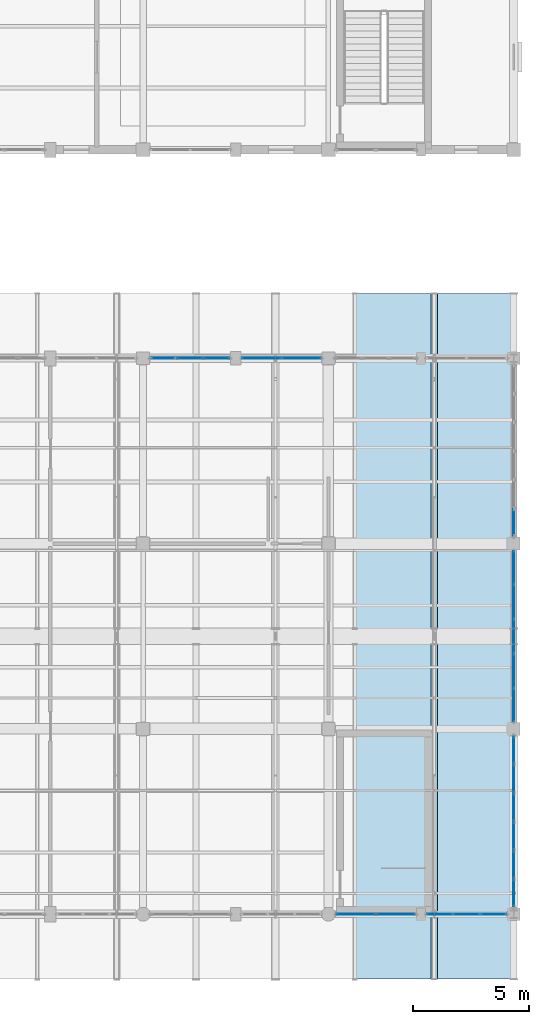
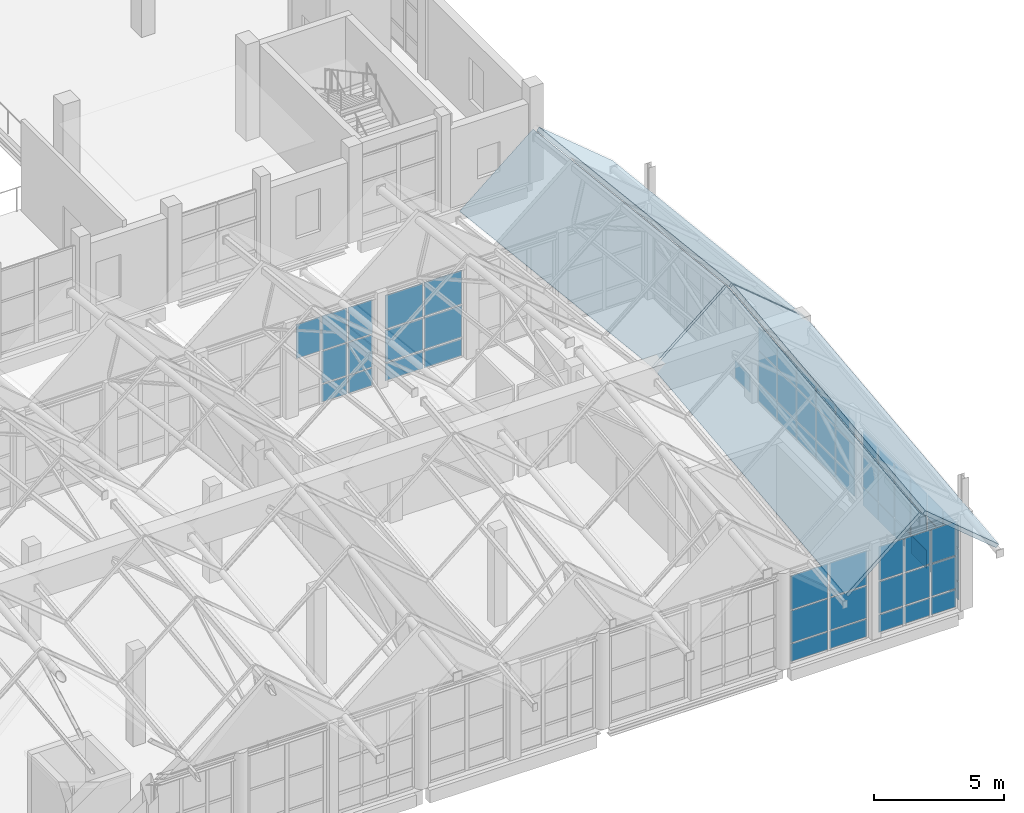
# One storey, part 127 of 183: 62 plates, 4 slabs, 7 elements without a shape of their own.
"""IFC4 building model written with IfcOpenShell, lengths in metres."""

from ifc_helpers import new_model, si_unit, direction, frame, origin, origin_2d, place, context, subcontext, project, spatial, polyline, rectangle, outline, extrude, material, layer, layer_set, type_object, element, aggregate, save


model = new_model("IFC4")

# Units and contexts
model_context = context("Model", 3, precision=1e-05, world=origin(), true_north=direction((0.0, 1.0)))
body_context = subcontext(model_context, "Body", "Model", "MODEL_VIEW")
ifc_project = project(units=[si_unit("LENGTHUNIT", "METRE"), si_unit("AREAUNIT", "SQUARE_METRE"), si_unit("VOLUMEUNIT", "CUBIC_METRE"), si_unit("PLANEANGLEUNIT", "RADIAN"), si_unit("MASSUNIT", "GRAM", prefix="KILO")], contexts=[model_context])

# Site, building, storey
site_placement = place(None, origin())
site = spatial("IfcSite", under=ifc_project, at=site_placement, CompositionType="ELEMENT")
building_placement = place(site_placement, origin())
building = spatial("IfcBuilding", under=site, at=building_placement, Name="Luwemba Playhouse", CompositionType="ELEMENT")
storey_placement = place(building_placement, frame((0.0, 0.0, 4.800048828125)))
storey = spatial("IfcBuildingStorey", under=building, at=storey_placement, Name="L01", CompositionType="ELEMENT", Elevation=4.800048828125)

# Curtain wall, plates
ifc_material_1 = material(Name="Solar-control double glazing", Category="glass")
curtain_wall_type_1 = type_object("IfcCurtainWallType", Name="CW-CW128", PredefinedType="USERDEFINED", material=ifc_material_1)
curtain_wall_1_placement = place(storey_placement, origin())
curtain_wall_1 = element("IfcCurtainWall", 1, at=curtain_wall_1_placement, inside=storey, type_object=curtain_wall_type_1, Name="L01 V5E unitised curtain wall 170", ObjectType="UNITISED GLAZING", PredefinedType="USERDEFINED")
ifc_layer_1 = layer(ifc_material_1, 0.02392578125)
ifc_layer_set_1 = layer_set([ifc_layer_1], Name="Solar-control double glazing")
plate_type_1 = type_object("IfcPlateType", Name="CWP-P1", PredefinedType="CURTAIN_PANEL", material=ifc_layer_set_1)
plate_1_placement = place(storey_placement, frame((171.12255859375, 3.0, 0.059814453125), z_axis=(0.0, 0.0, 1.0), x_axis=(-1.0, 0.0, 0.0)))
plate_1 = element("IfcPlate", 2, at=plate_1_placement, type_object=plate_type_1, Name="CW128 panel 1.1", PredefinedType="CURTAIN_PANEL", context=body_context, shape_type="SweptSolid", body=[
    extrude(rectangle(XDim=1.0849609375, YDim=0.02392578125, at=origin_2d()), origin(), (0.0, 0.0, 1.0), 0.81005859375),
])
plate_2_placement = place(storey_placement, frame((171.12255859375, 3.0, 0.93017578125), z_axis=(0.0, 0.0, 1.0), x_axis=(-1.0, 0.0, 0.0)))
plate_2 = element("IfcPlate", 3, at=plate_2_placement, type_object=plate_type_1, Name="CW128 panel 1.2", PredefinedType="CURTAIN_PANEL", context=body_context, shape_type="SweptSolid", body=[
    extrude(rectangle(XDim=1.0849609375, YDim=0.02392578125, at=origin_2d()), origin(), (0.0, 0.0, 1.0), 1.489990234375),
])
plate_3_placement = place(storey_placement, frame((171.12255859375, 3.0, 2.47998046875), z_axis=(0.0, 0.0, 1.0), x_axis=(-1.0, 0.0, 0.0)))
plate_3 = element("IfcPlate", 4, at=plate_3_placement, type_object=plate_type_1, Name="CW128 panel 1.3", PredefinedType="CURTAIN_PANEL", context=body_context, shape_type="SweptSolid", body=[
    extrude(rectangle(XDim=1.0849609375, YDim=0.02392578125, at=origin_2d()), origin(), (0.0, 0.0, 1.0), 1.5849609375),
])
plate_4_placement = place(storey_placement, frame((169.96240234375, 3.0, 0.059814453125), z_axis=(0.0, 0.0, 1.0), x_axis=(-1.0, 0.0, 0.0)))
plate_4 = element("IfcPlate", 5, at=plate_4_placement, type_object=plate_type_1, Name="CW128 panel 2.1", PredefinedType="CURTAIN_PANEL", context=body_context, shape_type="SweptSolid", body=[
    extrude(rectangle(XDim=1.114990234375, YDim=0.02392578125, at=origin_2d()), origin(), (0.0, 0.0, 1.0), 0.81005859375),
])
plate_5_placement = place(storey_placement, frame((169.96240234375, 3.0, 0.93017578125), z_axis=(0.0, 0.0, 1.0), x_axis=(-1.0, 0.0, 0.0)))
plate_5 = element("IfcPlate", 6, at=plate_5_placement, type_object=plate_type_1, Name="CW128 panel 2.2", PredefinedType="CURTAIN_PANEL", context=body_context, shape_type="SweptSolid", body=[
    extrude(rectangle(XDim=1.114990234375, YDim=0.02392578125, at=origin_2d()), origin(), (0.0, 0.0, 1.0), 1.489990234375),
])
plate_6_placement = place(storey_placement, frame((169.96240234375, 3.0, 2.47998046875), z_axis=(0.0, 0.0, 1.0), x_axis=(-1.0, 0.0, 0.0)))
plate_6 = element("IfcPlate", 7, at=plate_6_placement, type_object=plate_type_1, Name="CW128 panel 2.3", PredefinedType="CURTAIN_PANEL", context=body_context, shape_type="SweptSolid", body=[
    extrude(rectangle(XDim=1.114990234375, YDim=0.02392578125, at=origin_2d()), origin(), (0.0, 0.0, 1.0), 1.5849609375),
])
plate_7_placement = place(storey_placement, frame((168.802490234375, 3.0, 0.059814453125), z_axis=(0.0, 0.0, 1.0), x_axis=(-1.0, 0.0, 0.0)))
plate_7 = element("IfcPlate", 8, at=plate_7_placement, type_object=plate_type_1, Name="CW128 panel 3.1", PredefinedType="CURTAIN_PANEL", context=body_context, shape_type="SweptSolid", body=[
    extrude(rectangle(XDim=1.0849609375, YDim=0.02392578125, at=origin_2d()), origin(), (0.0, 0.0, 1.0), 0.81005859375),
])
plate_8_placement = place(storey_placement, frame((168.802490234375, 3.0, 0.93017578125), z_axis=(0.0, 0.0, 1.0), x_axis=(-1.0, 0.0, 0.0)))
plate_8 = element("IfcPlate", 9, at=plate_8_placement, type_object=plate_type_1, Name="CW128 panel 3.2", PredefinedType="CURTAIN_PANEL", context=body_context, shape_type="SweptSolid", body=[
    extrude(rectangle(XDim=1.0849609375, YDim=0.02392578125, at=origin_2d()), origin(), (0.0, 0.0, 1.0), 1.489990234375),
])
plate_9_placement = place(storey_placement, frame((168.802490234375, 3.0, 2.47998046875), z_axis=(0.0, 0.0, 1.0), x_axis=(-1.0, 0.0, 0.0)))
plate_9 = element("IfcPlate", 10, at=plate_9_placement, type_object=plate_type_1, Name="CW128 panel 3.3", PredefinedType="CURTAIN_PANEL", context=body_context, shape_type="SweptSolid", body=[
    extrude(rectangle(XDim=1.0849609375, YDim=0.02392578125, at=origin_2d()), origin(), (0.0, 0.0, 1.0), 1.5849609375),
])
aggregate(curtain_wall_1, [plate_1, plate_2, plate_3, plate_4, plate_5, plate_6, plate_7, plate_8, plate_9])

curtain_wall_type_2 = type_object("IfcCurtainWallType", Name="CW-CW125", PredefinedType="USERDEFINED", material=ifc_material_1)
curtain_wall_2_placement = place(storey_placement, origin())
curtain_wall_2 = element("IfcCurtainWall", 11, at=curtain_wall_2_placement, inside=storey, type_object=curtain_wall_type_2, Name="L01 V5E unitised curtain wall 163", ObjectType="UNITISED GLAZING", PredefinedType="USERDEFINED")
ifc_layer_2 = layer(ifc_material_1, 0.028076171875)
ifc_layer_set_2 = layer_set([ifc_layer_2], Name="Solar-control double glazing")
plate_type_2 = type_object("IfcPlateType", Name="CWP-P2", PredefinedType="CURTAIN_PANEL", material=ifc_layer_set_2)
plate_10_placement = place(storey_placement, frame((156.87451171875, 27.0, 2.4775390625), z_axis=(0.0, 0.0, 1.0), x_axis=(1.0, 0.0, 0.0)))
plate_10 = element("IfcPlate", 12, at=plate_10_placement, type_object=plate_type_2, Name="CW125 panel 1.3", PredefinedType="CURTAIN_PANEL", context=body_context, shape_type="SweptSolid", body=[
    extrude(rectangle(XDim=1.069091796875, YDim=0.028076171875, at=origin_2d()), origin(), (0.0, 0.0, 1.0), 1.592529296875),
])
plate_11_placement = place(storey_placement, frame((158.02490234375, 27.0, 0.054931640625), z_axis=(0.0, 0.0, 1.0), x_axis=(1.0, 0.0, 0.0)))
plate_11 = element("IfcPlate", 13, at=plate_11_placement, type_object=plate_type_2, Name="CW125 panel 2.1", PredefinedType="CURTAIN_PANEL", context=body_context, shape_type="SweptSolid", body=[
    extrude(rectangle(XDim=1.1015625, YDim=0.028076171875, at=origin_2d()), origin(), (0.0, 0.0, 1.0), 0.8173828125),
])
plate_12_placement = place(storey_placement, frame((158.02490234375, 27.0, 0.927490234375), z_axis=(0.0, 0.0, 1.0), x_axis=(1.0, 0.0, 0.0)))
plate_12 = element("IfcPlate", 14, at=plate_12_placement, type_object=plate_type_2, Name="CW125 panel 2.2", PredefinedType="CURTAIN_PANEL", context=body_context, shape_type="SweptSolid", body=[
    extrude(rectangle(XDim=1.1015625, YDim=0.028076171875, at=origin_2d()), origin(), (0.0, 0.0, 1.0), 1.4951171875),
])
plate_13_placement = place(storey_placement, frame((158.02490234375, 27.0, 2.4775390625), z_axis=(0.0, 0.0, 1.0), x_axis=(1.0, 0.0, 0.0)))
plate_13 = element("IfcPlate", 15, at=plate_13_placement, type_object=plate_type_2, Name="CW125 panel 2.3", PredefinedType="CURTAIN_PANEL", context=body_context, shape_type="SweptSolid", body=[
    extrude(rectangle(XDim=1.1015625, YDim=0.028076171875, at=origin_2d()), origin(), (0.0, 0.0, 1.0), 1.592529296875),
])
plate_14_placement = place(storey_placement, frame((159.175537109375, 27.0, 0.054931640625), z_axis=(0.0, 0.0, 1.0), x_axis=(1.0, 0.0, 0.0)))
plate_14 = element("IfcPlate", 16, at=plate_14_placement, type_object=plate_type_2, Name="CW125 panel 3.1", PredefinedType="CURTAIN_PANEL", context=body_context, shape_type="SweptSolid", body=[
    extrude(rectangle(XDim=1.069091796875, YDim=0.028076171875, at=origin_2d()), origin(), (0.0, 0.0, 1.0), 0.8173828125),
])
plate_15_placement = place(storey_placement, frame((159.175537109375, 27.0, 0.927490234375), z_axis=(0.0, 0.0, 1.0), x_axis=(1.0, 0.0, 0.0)))
plate_15 = element("IfcPlate", 17, at=plate_15_placement, type_object=plate_type_2, Name="CW125 panel 3.2", PredefinedType="CURTAIN_PANEL", context=body_context, shape_type="SweptSolid", body=[
    extrude(rectangle(XDim=1.069091796875, YDim=0.028076171875, at=origin_2d()), origin(), (0.0, 0.0, 1.0), 1.4951171875),
])
plate_16_placement = place(storey_placement, frame((159.175537109375, 27.0, 2.4775390625), z_axis=(0.0, 0.0, 1.0), x_axis=(1.0, 0.0, 0.0)))
plate_16 = element("IfcPlate", 18, at=plate_16_placement, type_object=plate_type_2, Name="CW125 panel 3.3", PredefinedType="CURTAIN_PANEL", context=body_context, shape_type="SweptSolid", body=[
    extrude(rectangle(XDim=1.069091796875, YDim=0.028076171875, at=origin_2d()), origin(), (0.0, 0.0, 1.0), 1.592529296875),
])
aggregate(curtain_wall_2, [plate_10, plate_11, plate_12, plate_13, plate_14, plate_15, plate_16])

# Curtain wall, plate
curtain_wall_type_3 = type_object("IfcCurtainWallType", Name="CW-CW129", PredefinedType="USERDEFINED", material=ifc_material_1)
curtain_wall_3_placement = place(storey_placement, origin())
curtain_wall_3 = element("IfcCurtainWall", 19, at=curtain_wall_3_placement, inside=storey, type_object=curtain_wall_type_3, Name="L01 V5E unitised curtain wall 167", ObjectType="UNITISED GLAZING", PredefinedType="USERDEFINED")
plate_17_placement = place(storey_placement, frame((172.0, 19.912109375, 0.054931640625), z_axis=(0.0, 0.0, 1.0), x_axis=(0.0, -1.0, 0.0)))
plate_17 = element("IfcPlate", 20, at=plate_17_placement, type_object=plate_type_2, Name="CW129 panel 6.1", PredefinedType="CURTAIN_PANEL", context=body_context, shape_type="SweptSolid", body=[
    extrude(rectangle(XDim=1.144287109375, YDim=0.028076171875, at=origin_2d()), origin(), (0.0, 0.0, 1.0), 0.8173828125),
])
aggregate(curtain_wall_3, [plate_17])

# Curtain wall, plates
curtain_wall_4_placement = place(storey_placement, origin())
curtain_wall_4 = element("IfcCurtainWall", 21, at=curtain_wall_4_placement, inside=storey, type_object=curtain_wall_type_2, Name="L01 V5E unitised curtain wall 171", ObjectType="UNITISED GLAZING", PredefinedType="USERDEFINED")
plate_18_placement = place(storey_placement, frame((166.90869140625, 3.0, 0.054931640625), z_axis=(0.0, 0.0, 1.0), x_axis=(-1.0, 0.0, 0.0)))
plate_18 = element("IfcPlate", 22, at=plate_18_placement, type_object=plate_type_2, Name="CW125 panel 1.1", PredefinedType="CURTAIN_PANEL", context=body_context, shape_type="SweptSolid", body=[
    extrude(rectangle(XDim=1.652587890625, YDim=0.028076171875, at=origin_2d()), origin(), (0.0, 0.0, 1.0), 0.8173828125),
])
plate_19_placement = place(storey_placement, frame((166.90869140625, 3.0, 0.927490234375), z_axis=(0.0, 0.0, 1.0), x_axis=(-1.0, 0.0, 0.0)))
plate_19 = element("IfcPlate", 23, at=plate_19_placement, type_object=plate_type_2, Name="CW125 panel 1.2", PredefinedType="CURTAIN_PANEL", context=body_context, shape_type="SweptSolid", body=[
    extrude(rectangle(XDim=1.652587890625, YDim=0.028076171875, at=origin_2d()), origin(), (0.0, 0.0, 1.0), 1.4951171875),
])
plate_20_placement = place(storey_placement, frame((166.90869140625, 3.0, 2.4775390625), z_axis=(0.0, 0.0, 1.0), x_axis=(-1.0, 0.0, 0.0)))
plate_20 = element("IfcPlate", 24, at=plate_20_placement, type_object=plate_type_2, Name="CW125 panel 1.3", PredefinedType="CURTAIN_PANEL", context=body_context, shape_type="SweptSolid", body=[
    extrude(rectangle(XDim=1.652587890625, YDim=0.028076171875, at=origin_2d()), origin(), (0.0, 0.0, 1.0), 1.592529296875),
])
plate_21_placement = place(storey_placement, frame((165.191162109375, 3.0, 0.054931640625), z_axis=(0.0, 0.0, 1.0), x_axis=(-1.0, 0.0, 0.0)))
plate_21 = element("IfcPlate", 25, at=plate_21_placement, type_object=plate_type_2, Name="CW125 panel 2.1", PredefinedType="CURTAIN_PANEL", context=body_context, shape_type="SweptSolid", body=[
    extrude(rectangle(XDim=1.652587890625, YDim=0.028076171875, at=origin_2d()), origin(), (0.0, 0.0, 1.0), 0.8173828125),
])
plate_22_placement = place(storey_placement, frame((165.191162109375, 3.0, 0.927490234375), z_axis=(0.0, 0.0, 1.0), x_axis=(-1.0, 0.0, 0.0)))
plate_22 = element("IfcPlate", 26, at=plate_22_placement, type_object=plate_type_2, Name="CW125 panel 2.2", PredefinedType="CURTAIN_PANEL", context=body_context, shape_type="SweptSolid", body=[
    extrude(rectangle(XDim=1.652587890625, YDim=0.028076171875, at=origin_2d()), origin(), (0.0, 0.0, 1.0), 1.4951171875),
])
plate_23_placement = place(storey_placement, frame((165.191162109375, 3.0, 2.4775390625), z_axis=(0.0, 0.0, 1.0), x_axis=(-1.0, 0.0, 0.0)))
plate_23 = element("IfcPlate", 27, at=plate_23_placement, type_object=plate_type_2, Name="CW125 panel 2.3", PredefinedType="CURTAIN_PANEL", context=body_context, shape_type="SweptSolid", body=[
    extrude(rectangle(XDim=1.652587890625, YDim=0.028076171875, at=origin_2d()), origin(), (0.0, 0.0, 1.0), 1.592529296875),
])
aggregate(curtain_wall_4, [plate_18, plate_19, plate_20, plate_21, plate_22, plate_23])

curtain_wall_type_4 = type_object("IfcCurtainWallType", Name="CW-CW126", PredefinedType="USERDEFINED", material=ifc_material_1)
curtain_wall_5_placement = place(storey_placement, origin())
curtain_wall_5 = element("IfcCurtainWall", 28, at=curtain_wall_5_placement, inside=storey, type_object=curtain_wall_type_4, Name="L01 V5E unitised curtain wall 164", ObjectType="UNITISED GLAZING", PredefinedType="USERDEFINED")
ifc_layer_3 = layer(ifc_material_1, 0.031982421875)
ifc_layer_set_3 = layer_set([ifc_layer_3], Name="Solar-control double glazing")
plate_type_3 = type_object("IfcPlateType", Name="CWP-P3", PredefinedType="CURTAIN_PANEL", material=ifc_layer_set_3)
plate_24_placement = place(storey_placement, frame((161.11376953125, 27.0, 0.06494140625), z_axis=(0.0, 0.0, 1.0), x_axis=(1.0, 0.0, 0.0)))
plate_24 = element("IfcPlate", 29, at=plate_24_placement, type_object=plate_type_3, Name="CW126 panel 1.1", PredefinedType="CURTAIN_PANEL", context=body_context, shape_type="SweptSolid", body=[
    extrude(rectangle(XDim=1.66748046875, YDim=0.031982421875, at=origin_2d()), origin(), (0.0, 0.0, 1.0), 0.802490234375),
])
plate_25_placement = place(storey_placement, frame((161.11376953125, 27.0, 0.9326171875), z_axis=(0.0, 0.0, 1.0), x_axis=(1.0, 0.0, 0.0)))
plate_25 = element("IfcPlate", 30, at=plate_25_placement, type_object=plate_type_3, Name="CW126 panel 1.2", PredefinedType="CURTAIN_PANEL", context=body_context, shape_type="SweptSolid", body=[
    extrude(rectangle(XDim=1.66748046875, YDim=0.031982421875, at=origin_2d()), origin(), (0.0, 0.0, 1.0), 1.485107421875),
])
plate_26_placement = place(storey_placement, frame((161.11376953125, 27.0, 2.482421875), z_axis=(0.0, 0.0, 1.0), x_axis=(1.0, 0.0, 0.0)))
plate_26 = element("IfcPlate", 31, at=plate_26_placement, type_object=plate_type_3, Name="CW126 panel 1.3", PredefinedType="CURTAIN_PANEL", context=body_context, shape_type="SweptSolid", body=[
    extrude(rectangle(XDim=1.66748046875, YDim=0.031982421875, at=origin_2d()), origin(), (0.0, 0.0, 1.0), 1.577392578125),
])
plate_27_placement = place(storey_placement, frame((162.836181640625, 27.0, 0.06494140625), z_axis=(0.0, 0.0, 1.0), x_axis=(1.0, 0.0, 0.0)))
plate_27 = element("IfcPlate", 32, at=plate_27_placement, type_object=plate_type_3, Name="CW126 panel 2.1", PredefinedType="CURTAIN_PANEL", context=body_context, shape_type="SweptSolid", body=[
    extrude(rectangle(XDim=1.66748046875, YDim=0.031982421875, at=origin_2d()), origin(), (0.0, 0.0, 1.0), 0.802490234375),
])
plate_28_placement = place(storey_placement, frame((162.836181640625, 27.0, 0.9326171875), z_axis=(0.0, 0.0, 1.0), x_axis=(1.0, 0.0, 0.0)))
plate_28 = element("IfcPlate", 33, at=plate_28_placement, type_object=plate_type_3, Name="CW126 panel 2.2", PredefinedType="CURTAIN_PANEL", context=body_context, shape_type="SweptSolid", body=[
    extrude(rectangle(XDim=1.66748046875, YDim=0.031982421875, at=origin_2d()), origin(), (0.0, 0.0, 1.0), 1.485107421875),
])
plate_29_placement = place(storey_placement, frame((162.836181640625, 27.0, 2.482421875), z_axis=(0.0, 0.0, 1.0), x_axis=(1.0, 0.0, 0.0)))
plate_29 = element("IfcPlate", 34, at=plate_29_placement, type_object=plate_type_3, Name="CW126 panel 2.3", PredefinedType="CURTAIN_PANEL", context=body_context, shape_type="SweptSolid", body=[
    extrude(rectangle(XDim=1.66748046875, YDim=0.031982421875, at=origin_2d()), origin(), (0.0, 0.0, 1.0), 1.577392578125),
])
aggregate(curtain_wall_5, [plate_24, plate_25, plate_26, plate_27, plate_28, plate_29])

curtain_wall_type_5 = type_object("IfcCurtainWallType", Name="CW-CW130", PredefinedType="USERDEFINED", material=ifc_material_1)
curtain_wall_6_placement = place(storey_placement, origin())
curtain_wall_6 = element("IfcCurtainWall", 35, at=curtain_wall_6_placement, inside=storey, type_object=curtain_wall_type_5, Name="L01 V5E unitised curtain wall 168", ObjectType="UNITISED GLAZING", PredefinedType="USERDEFINED")
plate_30_placement = place(storey_placement, frame((172.0, 17.96630859375, 0.06494140625), z_axis=(0.0, 0.0, 1.0), x_axis=(0.0, -1.0, 0.0)))
plate_30 = element("IfcPlate", 36, at=plate_30_placement, type_object=plate_type_3, Name="CW130 panel 1.1", PredefinedType="CURTAIN_PANEL", context=body_context, shape_type="SweptSolid", body=[
    extrude(rectangle(XDim=1.407470703125, YDim=0.031982421875, at=origin_2d()), origin(), (0.0, 0.0, 1.0), 0.802490234375),
])
plate_31_placement = place(storey_placement, frame((172.0, 17.96630859375, 0.9326171875), z_axis=(0.0, 0.0, 1.0), x_axis=(0.0, -1.0, 0.0)))
plate_31 = element("IfcPlate", 37, at=plate_31_placement, type_object=plate_type_3, Name="CW130 panel 1.2", PredefinedType="CURTAIN_PANEL", context=body_context, shape_type="SweptSolid", body=[
    extrude(rectangle(XDim=1.407470703125, YDim=0.031982421875, at=origin_2d()), origin(), (0.0, 0.0, 1.0), 1.485107421875),
])
plate_32_placement = place(storey_placement, frame((172.0, 17.96630859375, 2.482421875), z_axis=(0.0, 0.0, 1.0), x_axis=(0.0, -1.0, 0.0)))
plate_32 = element("IfcPlate", 38, at=plate_32_placement, type_object=plate_type_3, Name="CW130 panel 1.3", PredefinedType="CURTAIN_PANEL", context=body_context, shape_type="SweptSolid", body=[
    extrude(rectangle(XDim=1.407470703125, YDim=0.031982421875, at=origin_2d()), origin(), (0.0, 0.0, 1.0), 1.03759765625),
])
plate_33_placement = place(storey_placement, frame((172.0, 16.489990234375, 0.06494140625), z_axis=(0.0, 0.0, 1.0), x_axis=(0.0, -1.0, 0.0)))
plate_33 = element("IfcPlate", 39, at=plate_33_placement, type_object=plate_type_3, Name="CW130 panel 2.1", PredefinedType="CURTAIN_PANEL", context=body_context, shape_type="SweptSolid", body=[
    extrude(rectangle(XDim=1.43505859375, YDim=0.031982421875, at=origin_2d()), origin(), (0.0, 0.0, 1.0), 0.802490234375),
])
plate_34_placement = place(storey_placement, frame((172.0, 16.489990234375, 0.9326171875), z_axis=(0.0, 0.0, 1.0), x_axis=(0.0, -1.0, 0.0)))
plate_34 = element("IfcPlate", 40, at=plate_34_placement, type_object=plate_type_3, Name="CW130 panel 2.2", PredefinedType="CURTAIN_PANEL", context=body_context, shape_type="SweptSolid", body=[
    extrude(rectangle(XDim=1.43505859375, YDim=0.031982421875, at=origin_2d()), origin(), (0.0, 0.0, 1.0), 1.485107421875),
])
plate_35_placement = place(storey_placement, frame((172.0, 16.489990234375, 2.482421875), z_axis=(0.0, 0.0, 1.0), x_axis=(0.0, -1.0, 0.0)))
plate_35 = element("IfcPlate", 41, at=plate_35_placement, type_object=plate_type_3, Name="CW130 panel 2.3", PredefinedType="CURTAIN_PANEL", context=body_context, shape_type="SweptSolid", body=[
    extrude(rectangle(XDim=1.43505859375, YDim=0.031982421875, at=origin_2d()), origin(), (0.0, 0.0, 1.0), 1.03759765625),
])
plate_36_placement = place(storey_placement, frame((172.0, 15.0, 0.06494140625), z_axis=(0.0, 0.0, 1.0), x_axis=(0.0, -1.0, 0.0)))
plate_36 = element("IfcPlate", 42, at=plate_36_placement, type_object=plate_type_3, Name="CW130 panel 3.1", PredefinedType="CURTAIN_PANEL", context=body_context, shape_type="SweptSolid", body=[
    extrude(rectangle(XDim=1.43505859375, YDim=0.031982421875, at=origin_2d()), origin(), (0.0, 0.0, 1.0), 0.802490234375),
])
plate_37_placement = place(storey_placement, frame((172.0, 15.0, 0.9326171875), z_axis=(0.0, 0.0, 1.0), x_axis=(0.0, -1.0, 0.0)))
plate_37 = element("IfcPlate", 43, at=plate_37_placement, type_object=plate_type_3, Name="CW130 panel 3.2", PredefinedType="CURTAIN_PANEL", context=body_context, shape_type="SweptSolid", body=[
    extrude(rectangle(XDim=1.43505859375, YDim=0.031982421875, at=origin_2d()), origin(), (0.0, 0.0, 1.0), 1.485107421875),
])
plate_38_placement = place(storey_placement, frame((172.0, 15.0, 2.482421875), z_axis=(0.0, 0.0, 1.0), x_axis=(0.0, -1.0, 0.0)))
plate_38 = element("IfcPlate", 44, at=plate_38_placement, type_object=plate_type_3, Name="CW130 panel 3.3", PredefinedType="CURTAIN_PANEL", context=body_context, shape_type="SweptSolid", body=[
    extrude(rectangle(XDim=1.43505859375, YDim=0.031982421875, at=origin_2d()), origin(), (0.0, 0.0, 1.0), 1.03759765625),
])
plate_39_placement = place(storey_placement, frame((172.0, 13.510009765625, 0.06494140625), z_axis=(0.0, 0.0, 1.0), x_axis=(0.0, -1.0, 0.0)))
plate_39 = element("IfcPlate", 45, at=plate_39_placement, type_object=plate_type_3, Name="CW130 panel 4.1", PredefinedType="CURTAIN_PANEL", context=body_context, shape_type="SweptSolid", body=[
    extrude(rectangle(XDim=1.43505859375, YDim=0.031982421875, at=origin_2d()), origin(), (0.0, 0.0, 1.0), 0.802490234375),
])
plate_40_placement = place(storey_placement, frame((172.0, 13.510009765625, 0.9326171875), z_axis=(0.0, 0.0, 1.0), x_axis=(0.0, -1.0, 0.0)))
plate_40 = element("IfcPlate", 46, at=plate_40_placement, type_object=plate_type_3, Name="CW130 panel 4.2", PredefinedType="CURTAIN_PANEL", context=body_context, shape_type="SweptSolid", body=[
    extrude(rectangle(XDim=1.43505859375, YDim=0.031982421875, at=origin_2d()), origin(), (0.0, 0.0, 1.0), 1.485107421875),
])
plate_41_placement = place(storey_placement, frame((172.0, 13.510009765625, 2.482421875), z_axis=(0.0, 0.0, 1.0), x_axis=(0.0, -1.0, 0.0)))
plate_41 = element("IfcPlate", 47, at=plate_41_placement, type_object=plate_type_3, Name="CW130 panel 4.3", PredefinedType="CURTAIN_PANEL", context=body_context, shape_type="SweptSolid", body=[
    extrude(rectangle(XDim=1.43505859375, YDim=0.031982421875, at=origin_2d()), origin(), (0.0, 0.0, 1.0), 1.03759765625),
])
plate_42_placement = place(storey_placement, frame((172.0, 12.03369140625, 0.06494140625), z_axis=(0.0, 0.0, 1.0), x_axis=(0.0, -1.0, 0.0)))
plate_42 = element("IfcPlate", 48, at=plate_42_placement, type_object=plate_type_3, Name="CW130 panel 5.1", PredefinedType="CURTAIN_PANEL", context=body_context, shape_type="SweptSolid", body=[
    extrude(rectangle(XDim=1.407470703125, YDim=0.031982421875, at=origin_2d()), origin(), (0.0, 0.0, 1.0), 0.802490234375),
])
plate_43_placement = place(storey_placement, frame((172.0, 12.03369140625, 0.9326171875), z_axis=(0.0, 0.0, 1.0), x_axis=(0.0, -1.0, 0.0)))
plate_43 = element("IfcPlate", 49, at=plate_43_placement, type_object=plate_type_3, Name="CW130 panel 5.2", PredefinedType="CURTAIN_PANEL", context=body_context, shape_type="SweptSolid", body=[
    extrude(rectangle(XDim=1.407470703125, YDim=0.031982421875, at=origin_2d()), origin(), (0.0, 0.0, 1.0), 1.485107421875),
])
plate_44_placement = place(storey_placement, frame((172.0, 12.03369140625, 2.482421875), z_axis=(0.0, 0.0, 1.0), x_axis=(0.0, -1.0, 0.0)))
plate_44 = element("IfcPlate", 50, at=plate_44_placement, type_object=plate_type_3, Name="CW130 panel 5.3", PredefinedType="CURTAIN_PANEL", context=body_context, shape_type="SweptSolid", body=[
    extrude(rectangle(XDim=1.407470703125, YDim=0.031982421875, at=origin_2d()), origin(), (0.0, 0.0, 1.0), 1.03759765625),
])
aggregate(curtain_wall_6, [plate_30, plate_31, plate_32, plate_33, plate_34, plate_35, plate_36, plate_37, plate_38, plate_39, plate_40, plate_41, plate_42, plate_43, plate_44])

curtain_wall_type_6 = type_object("IfcCurtainWallType", Name="CW-CW131", PredefinedType="USERDEFINED", material=ifc_material_1)
curtain_wall_7_placement = place(storey_placement, origin())
curtain_wall_7 = element("IfcCurtainWall", 51, at=curtain_wall_7_placement, inside=storey, type_object=curtain_wall_type_6, Name="L01 V5E unitised curtain wall 169", ObjectType="UNITISED GLAZING", PredefinedType="USERDEFINED")
ifc_layer_4 = layer(ifc_material_1, 0.035888671875)
ifc_layer_set_4 = layer_set([ifc_layer_4], Name="Solar-control double glazing")
plate_type_4 = type_object("IfcPlateType", Name="CWP-P4", PredefinedType="CURTAIN_PANEL", material=ifc_layer_set_4)
plate_45_placement = place(storey_placement, frame((172.0, 10.086669921875, 0.0498046875), z_axis=(0.0, 0.0, 1.0), x_axis=(0.0, -1.0, 0.0)))
plate_45 = element("IfcPlate", 52, at=plate_45_placement, type_object=plate_type_4, Name="CW131 panel 1.1", PredefinedType="CURTAIN_PANEL", context=body_context, shape_type="SweptSolid", body=[
    extrude(rectangle(XDim=1.13671875, YDim=0.035888671875, at=origin_2d()), origin(), (0.0, 0.0, 1.0), 0.824951171875),
])
plate_46_placement = place(storey_placement, frame((172.0, 10.086669921875, 0.925048828125), z_axis=(0.0, 0.0, 1.0), x_axis=(0.0, -1.0, 0.0)))
plate_46 = element("IfcPlate", 53, at=plate_46_placement, type_object=plate_type_4, Name="CW131 panel 1.2", PredefinedType="CURTAIN_PANEL", context=body_context, shape_type="SweptSolid", body=[
    extrude(rectangle(XDim=1.13671875, YDim=0.035888671875, at=origin_2d()), origin(), (0.0, 0.0, 1.0), 1.5),
])
plate_47_placement = place(storey_placement, frame((172.0, 10.086669921875, 2.474853515625), z_axis=(0.0, 0.0, 1.0), x_axis=(0.0, -1.0, 0.0)))
plate_47 = element("IfcPlate", 54, at=plate_47_placement, type_object=plate_type_4, Name="CW131 panel 1.3", PredefinedType="CURTAIN_PANEL", context=body_context, shape_type="SweptSolid", body=[
    extrude(rectangle(XDim=1.13671875, YDim=0.035888671875, at=origin_2d()), origin(), (0.0, 0.0, 1.0), 1.06005859375),
])
plate_48_placement = place(storey_placement, frame((172.0, 8.862548828125, 0.0498046875), z_axis=(0.0, 0.0, 1.0), x_axis=(0.0, -1.0, 0.0)))
plate_48 = element("IfcPlate", 55, at=plate_48_placement, type_object=plate_type_4, Name="CW131 panel 2.1", PredefinedType="CURTAIN_PANEL", context=body_context, shape_type="SweptSolid", body=[
    extrude(rectangle(XDim=1.171630859375, YDim=0.035888671875, at=origin_2d()), origin(), (0.0, 0.0, 1.0), 0.824951171875),
])
plate_49_placement = place(storey_placement, frame((172.0, 8.862548828125, 0.925048828125), z_axis=(0.0, 0.0, 1.0), x_axis=(0.0, -1.0, 0.0)))
plate_49 = element("IfcPlate", 56, at=plate_49_placement, type_object=plate_type_4, Name="CW131 panel 2.2", PredefinedType="CURTAIN_PANEL", context=body_context, shape_type="SweptSolid", body=[
    extrude(rectangle(XDim=1.171630859375, YDim=0.035888671875, at=origin_2d()), origin(), (0.0, 0.0, 1.0), 1.5),
])
plate_50_placement = place(storey_placement, frame((172.0, 8.862548828125, 2.474853515625), z_axis=(0.0, 0.0, 1.0), x_axis=(0.0, -1.0, 0.0)))
plate_50 = element("IfcPlate", 57, at=plate_50_placement, type_object=plate_type_4, Name="CW131 panel 2.3", PredefinedType="CURTAIN_PANEL", context=body_context, shape_type="SweptSolid", body=[
    extrude(rectangle(XDim=1.171630859375, YDim=0.035888671875, at=origin_2d()), origin(), (0.0, 0.0, 1.0), 1.06005859375),
])
plate_51_placement = place(storey_placement, frame((172.0, 7.620849609375, 0.0498046875), z_axis=(0.0, 0.0, 1.0), x_axis=(0.0, -1.0, 0.0)))
plate_51 = element("IfcPlate", 58, at=plate_51_placement, type_object=plate_type_4, Name="CW131 panel 3.1", PredefinedType="CURTAIN_PANEL", context=body_context, shape_type="SweptSolid", body=[
    extrude(rectangle(XDim=1.171630859375, YDim=0.035888671875, at=origin_2d()), origin(), (0.0, 0.0, 1.0), 0.824951171875),
])
plate_52_placement = place(storey_placement, frame((172.0, 7.620849609375, 0.925048828125), z_axis=(0.0, 0.0, 1.0), x_axis=(0.0, -1.0, 0.0)))
plate_52 = element("IfcPlate", 59, at=plate_52_placement, type_object=plate_type_4, Name="CW131 panel 3.2", PredefinedType="CURTAIN_PANEL", context=body_context, shape_type="SweptSolid", body=[
    extrude(rectangle(XDim=1.171630859375, YDim=0.035888671875, at=origin_2d()), origin(), (0.0, 0.0, 1.0), 1.5),
])
plate_53_placement = place(storey_placement, frame((172.0, 7.620849609375, 2.474853515625), z_axis=(0.0, 0.0, 1.0), x_axis=(0.0, -1.0, 0.0)))
plate_53 = element("IfcPlate", 60, at=plate_53_placement, type_object=plate_type_4, Name="CW131 panel 3.3", PredefinedType="CURTAIN_PANEL", context=body_context, shape_type="SweptSolid", body=[
    extrude(rectangle(XDim=1.171630859375, YDim=0.035888671875, at=origin_2d()), origin(), (0.0, 0.0, 1.0), 1.06005859375),
])
plate_54_placement = place(storey_placement, frame((172.0, 6.379150390625, 0.0498046875), z_axis=(0.0, 0.0, 1.0), x_axis=(0.0, -1.0, 0.0)))
plate_54 = element("IfcPlate", 61, at=plate_54_placement, type_object=plate_type_4, Name="CW131 panel 4.1", PredefinedType="CURTAIN_PANEL", context=body_context, shape_type="SweptSolid", body=[
    extrude(rectangle(XDim=1.171630859375, YDim=0.035888671875, at=origin_2d()), origin(), (0.0, 0.0, 1.0), 0.824951171875),
])
plate_55_placement = place(storey_placement, frame((172.0, 6.379150390625, 0.925048828125), z_axis=(0.0, 0.0, 1.0), x_axis=(0.0, -1.0, 0.0)))
plate_55 = element("IfcPlate", 62, at=plate_55_placement, type_object=plate_type_4, Name="CW131 panel 4.2", PredefinedType="CURTAIN_PANEL", context=body_context, shape_type="SweptSolid", body=[
    extrude(rectangle(XDim=1.171630859375, YDim=0.035888671875, at=origin_2d()), origin(), (0.0, 0.0, 1.0), 1.5),
])
plate_56_placement = place(storey_placement, frame((172.0, 6.379150390625, 2.474853515625), z_axis=(0.0, 0.0, 1.0), x_axis=(0.0, -1.0, 0.0)))
plate_56 = element("IfcPlate", 63, at=plate_56_placement, type_object=plate_type_4, Name="CW131 panel 4.3", PredefinedType="CURTAIN_PANEL", context=body_context, shape_type="SweptSolid", body=[
    extrude(rectangle(XDim=1.171630859375, YDim=0.035888671875, at=origin_2d()), origin(), (0.0, 0.0, 1.0), 1.06005859375),
])
plate_57_placement = place(storey_placement, frame((172.0, 5.137451171875, 0.0498046875), z_axis=(0.0, 0.0, 1.0), x_axis=(0.0, -1.0, 0.0)))
plate_57 = element("IfcPlate", 64, at=plate_57_placement, type_object=plate_type_4, Name="CW131 panel 5.1", PredefinedType="CURTAIN_PANEL", context=body_context, shape_type="SweptSolid", body=[
    extrude(rectangle(XDim=1.171630859375, YDim=0.035888671875, at=origin_2d()), origin(), (0.0, 0.0, 1.0), 0.824951171875),
])
plate_58_placement = place(storey_placement, frame((172.0, 5.137451171875, 0.925048828125), z_axis=(0.0, 0.0, 1.0), x_axis=(0.0, -1.0, 0.0)))
plate_58 = element("IfcPlate", 65, at=plate_58_placement, type_object=plate_type_4, Name="CW131 panel 5.2", PredefinedType="CURTAIN_PANEL", context=body_context, shape_type="SweptSolid", body=[
    extrude(rectangle(XDim=1.171630859375, YDim=0.035888671875, at=origin_2d()), origin(), (0.0, 0.0, 1.0), 1.5),
])
plate_59_placement = place(storey_placement, frame((172.0, 5.137451171875, 2.474853515625), z_axis=(0.0, 0.0, 1.0), x_axis=(0.0, -1.0, 0.0)))
plate_59 = element("IfcPlate", 66, at=plate_59_placement, type_object=plate_type_4, Name="CW131 panel 5.3", PredefinedType="CURTAIN_PANEL", context=body_context, shape_type="SweptSolid", body=[
    extrude(rectangle(XDim=1.171630859375, YDim=0.035888671875, at=origin_2d()), origin(), (0.0, 0.0, 1.0), 1.06005859375),
])
plate_60_placement = place(storey_placement, frame((172.0, 3.913330078125, 0.0498046875), z_axis=(0.0, 0.0, 1.0), x_axis=(0.0, -1.0, 0.0)))
plate_60 = element("IfcPlate", 67, at=plate_60_placement, type_object=plate_type_4, Name="CW131 panel 6.1", PredefinedType="CURTAIN_PANEL", context=body_context, shape_type="SweptSolid", body=[
    extrude(rectangle(XDim=1.13671875, YDim=0.035888671875, at=origin_2d()), origin(), (0.0, 0.0, 1.0), 0.824951171875),
])
plate_61_placement = place(storey_placement, frame((172.0, 3.913330078125, 0.925048828125), z_axis=(0.0, 0.0, 1.0), x_axis=(0.0, -1.0, 0.0)))
plate_61 = element("IfcPlate", 68, at=plate_61_placement, type_object=plate_type_4, Name="CW131 panel 6.2", PredefinedType="CURTAIN_PANEL", context=body_context, shape_type="SweptSolid", body=[
    extrude(rectangle(XDim=1.13671875, YDim=0.035888671875, at=origin_2d()), origin(), (0.0, 0.0, 1.0), 1.5),
])
plate_62_placement = place(storey_placement, frame((172.0, 3.913330078125, 2.474853515625), z_axis=(0.0, 0.0, 1.0), x_axis=(0.0, -1.0, 0.0)))
plate_62 = element("IfcPlate", 69, at=plate_62_placement, type_object=plate_type_4, Name="CW131 panel 6.3", PredefinedType="CURTAIN_PANEL", context=body_context, shape_type="SweptSolid", body=[
    extrude(rectangle(XDim=1.13671875, YDim=0.035888671875, at=origin_2d()), origin(), (0.0, 0.0, 1.0), 1.06005859375),
])
aggregate(curtain_wall_7, [plate_45, plate_46, plate_47, plate_48, plate_49, plate_50, plate_51, plate_52, plate_53, plate_54, plate_55, plate_56, plate_57, plate_58, plate_59, plate_60, plate_61, plate_62])

# Slabs
ifc_material_2 = material(Name="Concrete C32/40", Category="concrete")
ifc_layer_5 = layer(ifc_material_2, 0.179931640625)
ifc_layer_set_5 = layer_set([ifc_layer_5], Name="Concrete C32/40")
slab_type = type_object("IfcSlabType", Name="SLB-ROOF-180", PredefinedType="ROOF", material=ifc_layer_set_5)
slab_1_placement = place(storey_placement, frame((165.182861328125, 0.199951171875, 4.57958984375), z_axis=(-0.637674129962, -0.085744485828, 0.765519161829), x_axis=(0.768348763604, 1.892269e-06, 0.640031387875)))
element("IfcSlab", 70, at=slab_1_placement, inside=storey, type_object=slab_type, Name="RF-V5E pleated roof facet 13S", PredefinedType="ROOF", context=body_context, shape_type="SweptSolid", body=[
    extrude(outline(polyline([(0.0, 0.0), (4.234375991353099, 0.0), (5.291018200962554, 14.794465874262269), (1.056798467272511, 14.794481958359684), (0.0, 0.0)])), origin(), (0.0, 0.0, -1.0), 0.179931640625),
])
slab_2_placement = place(storey_placement, frame((165.182861328125, 15.06005859375, 6.230712890625), z_axis=(-0.637674129962, 0.085744485828, 0.765519161829), x_axis=(0.768348972067, 1.892339e-06, 0.640031137617)))
element("IfcSlab", 71, at=slab_2_placement, inside=storey, type_object=slab_type, Name="RF-V5E pleated roof facet 13N", PredefinedType="ROOF", context=body_context, shape_type="SweptSolid", body=[
    extrude(outline(polyline([(0.0, 0.0), (4.234219733720592, 0.0), (3.177633722343066, 14.794469887914216), (-1.0567422689794836, 14.794485972605194), (0.0, 0.0)])), origin(), (0.0, 0.0, -1.0), 0.179931640625),
])
slab_3_placement = place(storey_placement, frame((168.706298828125, 0.199951171875, 7.2900390625), z_axis=(0.637697209922, -0.085736098024, 0.765500875214), x_axis=(0.76832995697, 0.0, -0.640053964304)))
element("IfcSlab", 72, at=slab_3_placement, inside=storey, type_object=slab_type, Name="RF-V5E pleated roof facet 14S", PredefinedType="ROOF", context=body_context, shape_type="SweptSolid", body=[
    extrude(outline(polyline([(0.0, 0.0), (4.234719835999197, 0.0), (3.17806824746728, 14.794465204698161), (-1.0566515885319163, 14.794465204698161), (0.0, 0.0)])), origin(), (0.0, 0.0, -1.0), 0.179931640625),
])
slab_4_placement = place(storey_placement, frame((168.706298828125, 15.06005859375, 8.94091796875), z_axis=(0.637697209922, 0.085736098024, 0.765500875214), x_axis=(0.76832995697, 0.0, -0.640053964304)))
element("IfcSlab", 73, at=slab_4_placement, inside=storey, type_object=slab_type, Name="RF-V5E pleated roof facet 14N", PredefinedType="ROOF", context=body_context, shape_type="SweptSolid", body=[
    extrude(outline(polyline([(0.0, 0.0), (4.234719835999197, 0.0), (5.291371424531113, 14.794465204698161), (1.0566515885319163, 14.794465204698161), (0.0, 0.0)])), origin(), (0.0, 0.0, -1.0), 0.179931640625),
])

save(model, "model.ifc")
